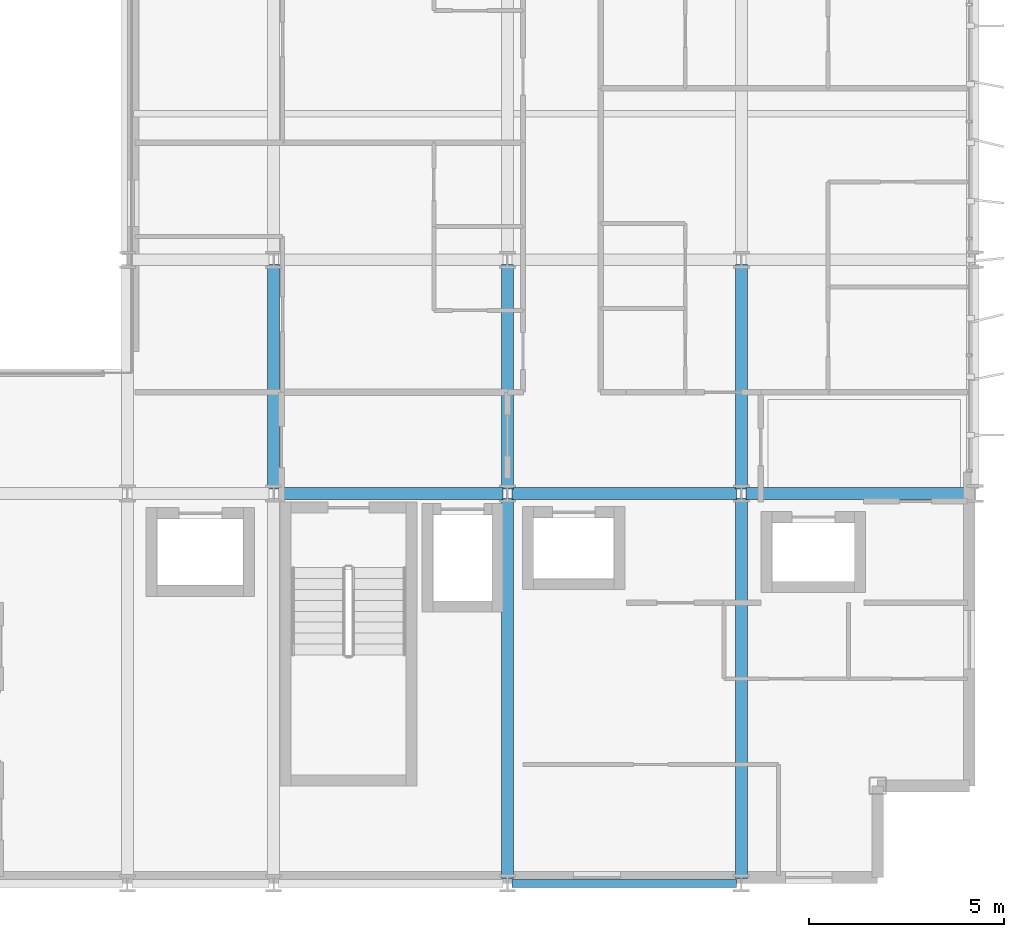
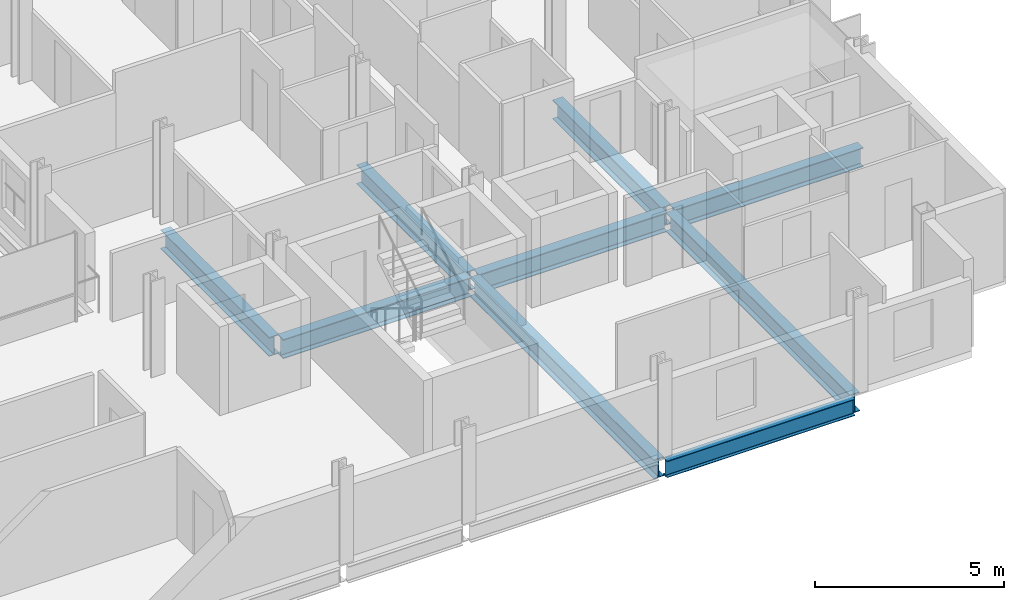
# One storey, part 14 of 39: 9 beams.
"""IFC4 building model written with IfcOpenShell, lengths in metres."""

from ifc_helpers import new_model, si_unit, direction, frame, origin, origin_2d, place, context, subcontext, project, spatial, i_section, extrude, material, material_profile, profile_set, type_object, element, save


model = new_model("IFC4")

# Units and contexts
model_context = context("Model", 3, precision=1e-05, world=origin(), true_north=direction((0.0, 1.0)))
body_context = subcontext(model_context, "Body", "Model", "MODEL_VIEW")
ifc_project = project(units=[si_unit("LENGTHUNIT", "METRE"), si_unit("AREAUNIT", "SQUARE_METRE"), si_unit("VOLUMEUNIT", "CUBIC_METRE"), si_unit("PLANEANGLEUNIT", "RADIAN"), si_unit("MASSUNIT", "GRAM", prefix="KILO")], contexts=[model_context])

# Site, building, storey
site_placement = place(None, origin())
site = spatial("IfcSite", under=ifc_project, at=site_placement, CompositionType="ELEMENT")
building_placement = place(site_placement, origin())
building = spatial("IfcBuilding", under=site, at=building_placement, Name="Brevholm Reach", CompositionType="ELEMENT")
storey_placement = place(building_placement, frame((0.0, 0.0, 90.0)))
storey = spatial("IfcBuildingStorey", under=building, at=storey_placement, Name="L26", CompositionType="ELEMENT", Elevation=90.0)

# Beams
ifc_material_1 = material(Name="Structural Steel S355J2", Category="steel")
ifc_material_profile_1 = material_profile(ifc_material_1, i_section(OverallWidth=0.210693359375, OverallDepth=0.53955078125, WebThickness=0.01171875, FlangeThickness=0.018798828125, FilletRadius=0.0126953125, at=origin_2d()), Name="UKB 533x210x109")
ifc_profile_set_1 = profile_set([ifc_material_profile_1], Name="Structural Steel S355J2")
beam_type_1 = type_object("IfcBeamType", Name="BM-SP539", PredefinedType="SPANDREL", material=ifc_profile_set_1)
beam_1_placement = place(storey_placement, frame((48.1201171875, 0.0, -0.499755859375), z_axis=(1.0, 0.0, 0.0), x_axis=(0.0, 1.0, 0.0)))
element("IfcBeam", 1, at=beam_1_placement, inside=storey, type_object=beam_type_1, Name="L26 SP-01B Framing Beam", PredefinedType="SPANDREL", context=body_context, shape_type="SweptSolid", body=[
    extrude(i_section(OverallWidth=0.210693359375, OverallDepth=0.53955078125, WebThickness=0.01171875, FlangeThickness=0.018798828125, FilletRadius=0.0126953125, at=origin_2d()), origin(), (0.0, 0.0, 1.0), 5.759765625),
])
ifc_material_2 = material(Name="Structural Steel S355J2", Category="steel")
ifc_material_profile_2 = material_profile(ifc_material_2, i_section(OverallWidth=0.30712890625, OverallDepth=0.6201171875, WebThickness=0.01416015625, FlangeThickness=0.023681640625, FilletRadius=0.0166015625, at=origin_2d()), Name="UKB 610x305x179")
ifc_profile_set_2 = profile_set([ifc_material_profile_2], Name="Structural Steel S355J2")
beam_type_2 = type_object("IfcBeamType", Name="BM-UKB610H", PredefinedType="USERDEFINED", material=ifc_profile_set_2)
for number, where, z_axis, x_axis, name in (
    (2, (42.1201171875, 10.0, -0.5400390625), (1.0, 0.0, 0.0), (0.0, 1.0, 0.0), "L26 G-06 Framing Beam"),
    (3, (48.1201171875, 10.0, -0.5400390625), (1.0, 0.0, 0.0), (0.0, 1.0, 0.0), "L26 G-06 Framing Beam"),
    (4, (54.1201171875, 10.0, -0.5400390625), (1.0, 0.0, 0.0), (0.0, 1.0, 0.0), "L26 G-06 Framing Beam"),
    (5, (42.0, 10.1201171875, -0.5400390625), (0.0, 1.0, 0.0), (-1.0, 0.0, 0.0), "L26 G-06 Framing Beam"),
):
    element("IfcBeam", number, at=place(storey_placement, frame(where, z_axis=z_axis, x_axis=x_axis)), inside=storey, type_object=beam_type_2, Name=name, ObjectType="GIRDER", PredefinedType="USERDEFINED", context=body_context, shape_type="SweptSolid", body=[
        extrude(i_section(OverallWidth=0.30712890625, OverallDepth=0.6201171875, WebThickness=0.01416015625, FlangeThickness=0.023681640625, FilletRadius=0.0166015625, at=origin_2d()), origin(), (0.0, 0.0, 1.0), 5.759765625),
    ])
beam_2_placement = place(storey_placement, frame((48.0, 0.1201171875, -0.5400390625), z_axis=(0.0, 1.0, 0.0), x_axis=(-1.0, 0.0, 0.0)))
element("IfcBeam", 6, at=beam_2_placement, inside=storey, type_object=beam_type_2, Name="L26 G-06 Framing Beam", ObjectType="GIRDER", PredefinedType="USERDEFINED", context=body_context, shape_type="SweptSolid", body=[
    extrude(i_section(OverallWidth=0.30712890625, OverallDepth=0.6201171875, WebThickness=0.01416015625, FlangeThickness=0.023681640625, FilletRadius=0.0166015625, at=origin_2d()), origin(), (0.0, 0.0, 1.0), 9.759765625),
])
beam_3_placement = place(storey_placement, frame((48.0, 10.1201171875, -0.5400390625), z_axis=(0.0, 1.0, 0.0), x_axis=(-1.0, 0.0, 0.0)))
element("IfcBeam", 7, at=beam_3_placement, inside=storey, type_object=beam_type_2, Name="L26 G-06 Framing Beam", ObjectType="GIRDER", PredefinedType="USERDEFINED", context=body_context, shape_type="SweptSolid", body=[
    extrude(i_section(OverallWidth=0.30712890625, OverallDepth=0.6201171875, WebThickness=0.01416015625, FlangeThickness=0.023681640625, FilletRadius=0.0166015625, at=origin_2d()), origin(), (0.0, 0.0, 1.0), 5.759765625),
])
beam_4_placement = place(storey_placement, frame((54.0, 0.1201171875, -0.5400390625), z_axis=(0.0, 1.0, 0.0), x_axis=(-1.0, 0.0, 0.0)))
element("IfcBeam", 8, at=beam_4_placement, inside=storey, type_object=beam_type_2, Name="L26 G-06 Framing Beam", ObjectType="GIRDER", PredefinedType="USERDEFINED", context=body_context, shape_type="SweptSolid", body=[
    extrude(i_section(OverallWidth=0.30712890625, OverallDepth=0.6201171875, WebThickness=0.01416015625, FlangeThickness=0.023681640625, FilletRadius=0.0166015625, at=origin_2d()), origin(), (0.0, 0.0, 1.0), 9.759765625),
])
beam_5_placement = place(storey_placement, frame((54.0, 10.1201171875, -0.5400390625), z_axis=(0.0, 1.0, 0.0), x_axis=(-1.0, 0.0, 0.0)))
element("IfcBeam", 9, at=beam_5_placement, inside=storey, type_object=beam_type_2, Name="L26 G-06 Framing Beam", ObjectType="GIRDER", PredefinedType="USERDEFINED", context=body_context, shape_type="SweptSolid", body=[
    extrude(i_section(OverallWidth=0.30712890625, OverallDepth=0.6201171875, WebThickness=0.01416015625, FlangeThickness=0.023681640625, FilletRadius=0.0166015625, at=origin_2d()), origin(), (0.0, 0.0, 1.0), 5.759765625),
])

save(model, "model.ifc")
